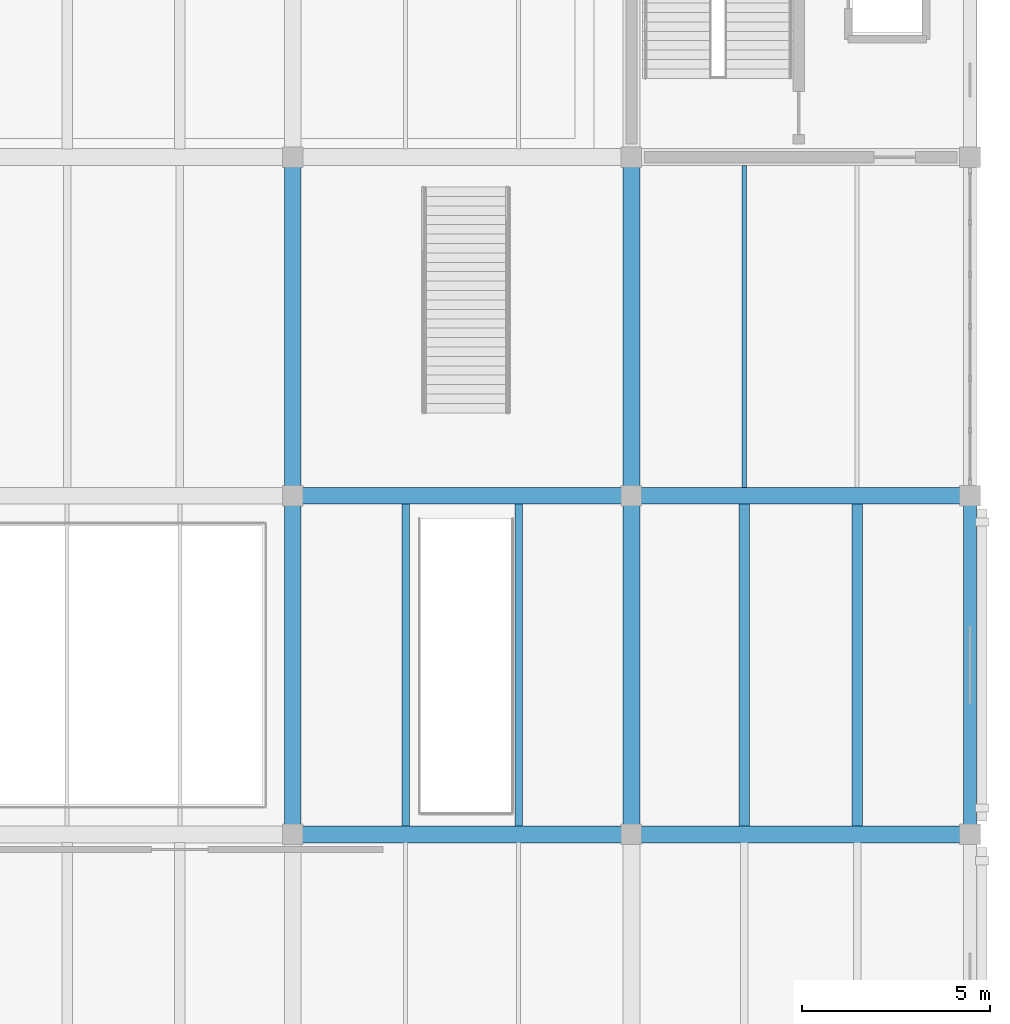
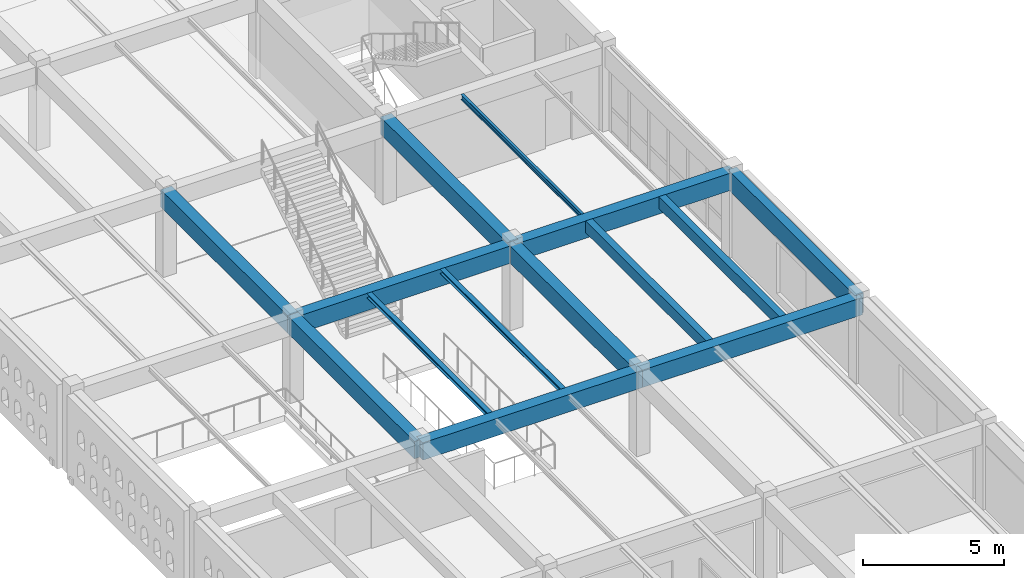
# One storey, part 96 of 156: 14 beams.
"""IFC4 building model written with IfcOpenShell, lengths in metres."""

from ifc_helpers import new_model, si_unit, direction, frame, origin, origin_2d, place, context, subcontext, project, spatial, rectangle, i_section, extrude, material, material_profile, profile_set, type_object, element, save


model = new_model("IFC4")

# Units and contexts
model_context = context("Model", 3, precision=1e-05, world=origin(), true_north=direction((0.0, 1.0)))
body_context = subcontext(model_context, "Body", "Model", "MODEL_VIEW")
ifc_project = project(units=[si_unit("LENGTHUNIT", "METRE"), si_unit("AREAUNIT", "SQUARE_METRE"), si_unit("VOLUMEUNIT", "CUBIC_METRE"), si_unit("PLANEANGLEUNIT", "RADIAN"), si_unit("MASSUNIT", "GRAM", prefix="KILO")], contexts=[model_context])

# Site, building, storey
site_placement = place(None, origin())
site = spatial("IfcSite", under=ifc_project, at=site_placement, CompositionType="ELEMENT")
building_placement = place(site_placement, origin())
building = spatial("IfcBuilding", under=site, at=building_placement, Name="Ornek Quay Market", CompositionType="ELEMENT")
storey_placement = place(building_placement, frame((0.0, 0.0, 4.5)))
storey = spatial("IfcBuildingStorey", under=building, at=storey_placement, Name="L01", CompositionType="ELEMENT", Elevation=4.5)

# Beams
ifc_material_1 = material(Name="Concrete C40/50", Category="concrete")
ifc_material_profile_1 = material_profile(ifc_material_1, rectangle(XDim=0.449951171875, YDim=0.75, at=origin_2d()), Name="RC 450x750", Category="concrete")
ifc_profile_set_1 = profile_set([ifc_material_profile_1], Name="Concrete C40/50")
beam_type_1 = type_object("IfcBeamType", Name="BM-FC-450x750", PredefinedType="BEAM", material=ifc_profile_set_1)
for number, where, z_axis, x_axis, name in (
    (1, (162.0, 74.0, 3.2548828125), (1.0, 0.0, 0.0), (0.0, 1.0, 0.0), "Primary beam B-FC1-038"),
    (2, (171.0, 74.0, 3.2548828125), (1.0, 0.0, 0.0), (0.0, 1.0, 0.0), "Primary beam B-FC1-039"),
    (3, (162.0, 83.0, 3.2548828125), (1.0, 0.0, 0.0), (0.0, 1.0, 0.0), "Primary beam B-FC1-041"),
    (4, (171.0, 83.0, 3.2548828125), (1.0, 0.0, 0.0), (0.0, 1.0, 0.0), "Primary beam B-FC1-042"),
    (5, (162.0, 74.0, 3.2548828125), (0.0, 1.0, 0.0), (-1.0, 0.0, 0.0), "Primary beam B-FC1-050"),
    (6, (162.0, 83.0, 3.2548828125), (0.0, 1.0, 0.0), (-1.0, 0.0, 0.0), "Primary beam B-FC1-051"),
    (7, (171.0, 74.0, 3.2548828125), (0.0, 1.0, 0.0), (-1.0, 0.0, 0.0), "Primary beam B-FC1-055"),
    (8, (171.0, 83.0, 3.2548828125), (0.0, 1.0, 0.0), (-1.0, 0.0, 0.0), "Primary beam B-FC1-056"),
):
    element("IfcBeam", number, at=place(storey_placement, frame(where, z_axis=z_axis, x_axis=x_axis)), inside=storey, type_object=beam_type_1, Name=name, PredefinedType="BEAM", context=body_context, shape_type="SweptSolid", body=[
        extrude(rectangle(XDim=0.449951171875, YDim=0.75, at=origin_2d()), origin(), (0.0, 0.0, 1.0), 9.0),
    ])
ifc_material_2 = material(Name="Concrete C35/45", Category="concrete")
ifc_material_profile_2 = material_profile(ifc_material_2, rectangle(XDim=0.280029296875, YDim=0.5, at=origin_2d()), Name="RC 280x500", Category="concrete")
ifc_profile_set_2 = profile_set([ifc_material_profile_2], Name="Concrete C35/45")
beam_type_2 = type_object("IfcBeamType", Name="BM-SEC-280x500", PredefinedType="JOIST", material=ifc_profile_set_2)
for number, where, z_axis, x_axis, name in (
    (9, (174.0, 74.217041015625, 3.3798828125), (0.0, 1.0, 0.0), (-1.0, 0.0, 0.0), "Secondary joist B-SC2-075"),
    (10, (177.0, 74.217041015625, 3.3798828125), (0.0, 1.0, 0.0), (-1.0, 0.0, 0.0), "Secondary joist B-SC2-076"),
):
    element("IfcBeam", number, at=place(storey_placement, frame(where, z_axis=z_axis, x_axis=x_axis)), inside=storey, type_object=beam_type_2, Name=name, PredefinedType="JOIST", context=body_context, shape_type="SweptSolid", body=[
        extrude(rectangle(XDim=0.280029296875, YDim=0.5, at=origin_2d()), origin(), (0.0, 0.0, 1.0), 8.56591796875),
    ])
ifc_material_profile_3 = material_profile(ifc_material_1, rectangle(XDim=0.35009765625, YDim=0.85009765625, at=origin_2d()), Name="RC 350x850", Category="concrete")
ifc_profile_set_3 = profile_set([ifc_material_profile_3], Name="Concrete C40/50")
beam_type_3 = type_object("IfcBeamType", Name="BM-SPN-350x850", PredefinedType="SPANDREL", material=ifc_profile_set_3)
beam_1_placement = place(storey_placement, frame((180.0, 74.0, 3.205078125), z_axis=(0.0, 1.0, 0.0), x_axis=(-1.0, 0.0, 0.0)))
element("IfcBeam", 11, at=beam_1_placement, inside=storey, type_object=beam_type_3, Name="Primary beam B-SP1-113", PredefinedType="SPANDREL", context=body_context, shape_type="SweptSolid", body=[
    extrude(rectangle(XDim=0.35009765625, YDim=0.85009765625, at=origin_2d()), origin(), (0.0, 0.0, 1.0), 9.0),
])
ifc_material_3 = material(Name="Steel S355", Category="steel")
ifc_material_profile_4 = material_profile(ifc_material_3, i_section(OverallWidth=0.199951171875, OverallDepth=0.18994140625, WebThickness=0.006591796875, FlangeThickness=0.010009765625, FilletRadius=0.01806640625, at=origin_2d()), Name="HEA 200", Category="steel")
ifc_profile_set_4 = profile_set([ifc_material_profile_4], Name="Steel S355")
beam_type_4 = type_object("IfcBeamType", Name="BM-STL-HEA200", PredefinedType="BEAM", material=ifc_profile_set_4)
for number, where, z_axis, x_axis, name in (
    (12, (165.0, 74.217041015625, 3.534912109375), (0.0, 1.0, 0.0), (-1.0, 0.0, 0.0), "Secondary joist SB-12-023"),
    (13, (168.0, 74.217041015625, 3.534912109375), (0.0, 1.0, 0.0), (-1.0, 0.0, 0.0), "Secondary joist SB-12-024"),
):
    element("IfcBeam", number, at=place(storey_placement, frame(where, z_axis=z_axis, x_axis=x_axis)), inside=storey, type_object=beam_type_4, Name=name, PredefinedType="BEAM", context=body_context, shape_type="SweptSolid", body=[
        extrude(i_section(OverallWidth=0.199951171875, OverallDepth=0.18994140625, WebThickness=0.006591796875, FlangeThickness=0.010009765625, FilletRadius=0.01806640625, at=origin_2d()), origin(), (0.0, 0.0, 1.0), 8.56591796875),
    ])
ifc_material_profile_5 = material_profile(ifc_material_3, i_section(OverallWidth=0.110107421875, OverallDepth=0.219970703125, WebThickness=0.005859375, FlangeThickness=0.00927734375, FilletRadius=0.011962890625, at=origin_2d()), Name="IPE 220", Category="steel")
ifc_profile_set_5 = profile_set([ifc_material_profile_5], Name="Steel S355")
beam_type_5 = type_object("IfcBeamType", Name="BM-STL-IPE220", PredefinedType="JOIST", material=ifc_profile_set_5)
beam_2_placement = place(storey_placement, frame((174.0, 83.217041015625, 3.52001953125), z_axis=(0.0, 1.0, 0.0), x_axis=(-1.0, 0.0, 0.0)))
element("IfcBeam", 14, at=beam_2_placement, inside=storey, type_object=beam_type_5, Name="Secondary joist SB-03-038", PredefinedType="JOIST", context=body_context, shape_type="SweptSolid", body=[
    extrude(i_section(OverallWidth=0.110107421875, OverallDepth=0.219970703125, WebThickness=0.005859375, FlangeThickness=0.00927734375, FilletRadius=0.011962890625, at=origin_2d()), origin(), (0.0, 0.0, 1.0), 8.56591796875),
])

save(model, "model.ifc")
